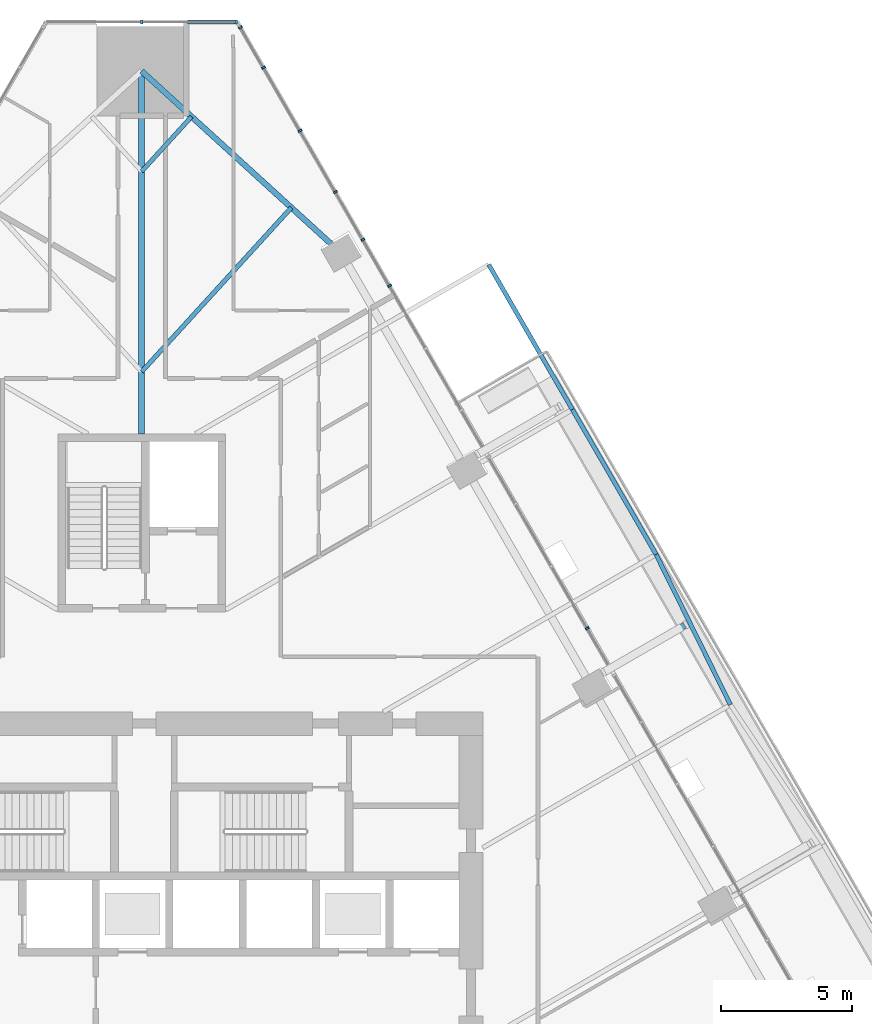
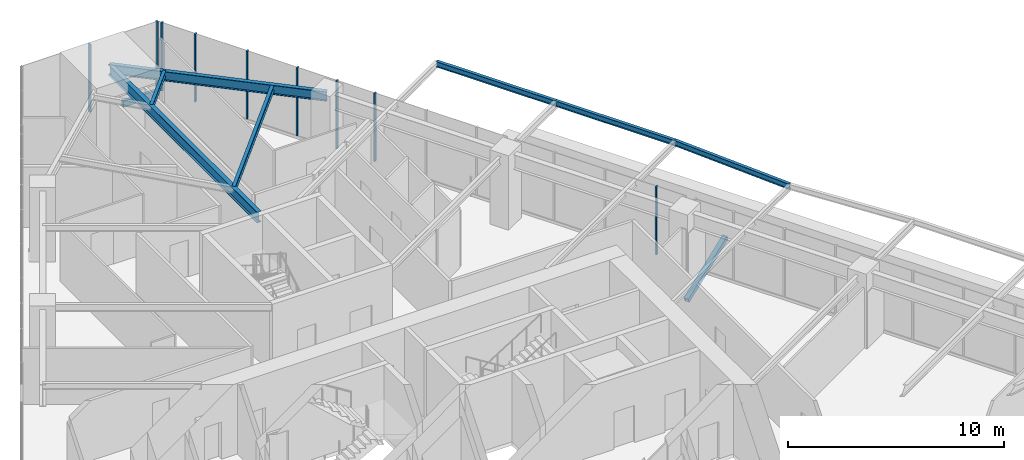
# One storey, part 11 of 29: 11 members, 7 beams, 2 elements without a shape of their own.
"""IFC4 building model written with IfcOpenShell, lengths in metres."""

from ifc_helpers import new_model, si_unit, direction, frame, origin, origin_2d, place, context, subcontext, project, spatial, rectangle, hollow_rectangle, i_section, extrude, material, layer, layer_set, material_profile, profile_set, type_object, element, aggregate, save


model = new_model("IFC4")

# Units and contexts
model_context = context("Model", 3, precision=1e-05, world=origin(), true_north=direction((0.0, 1.0)))
body_context = subcontext(model_context, "Body", "Model", "MODEL_VIEW")
ifc_project = project(units=[si_unit("LENGTHUNIT", "METRE"), si_unit("AREAUNIT", "SQUARE_METRE"), si_unit("VOLUMEUNIT", "CUBIC_METRE"), si_unit("PLANEANGLEUNIT", "RADIAN"), si_unit("MASSUNIT", "GRAM", prefix="KILO")], contexts=[model_context])

# Site, building, storey
site_placement = place(None, origin())
site = spatial("IfcSite", under=ifc_project, at=site_placement, CompositionType="ELEMENT")
building_placement = place(site_placement, origin())
building = spatial("IfcBuilding", under=site, at=building_placement, Name="Firuza Gate Tower and Library", CompositionType="ELEMENT")
storey_placement = place(building_placement, frame((0.0, 0.0, 48.39990234375)))
storey = spatial("IfcBuildingStorey", under=building, at=storey_placement, Name="L10", CompositionType="ELEMENT", Elevation=48.39990234375)

# Curtain wall, members
ifc_material_1 = material(Name="Aluminium 6063-T6", Category="aluminium")
ifc_layer_1 = layer(ifc_material_1, 0.14990234375)
ifc_layer_set_1 = layer_set([ifc_layer_1], Name="Unitised curtain wall, offices")
curtain_wall_type_1 = type_object("IfcCurtainWallType", Name="Unitised curtain wall, offices", PredefinedType="NOTDEFINED", material=ifc_layer_set_1)
placement = place(storey_placement, origin())
curtain_wall_1 = element("IfcCurtainWall", 1, at=placement, inside=storey, type_object=curtain_wall_type_1, Name="CW1 L10 E face", PredefinedType="NOTDEFINED")
ifc_material_2 = material(Name="Aluminium 6063-T6", Category="aluminium")
ifc_material_profile_1 = material_profile(ifc_material_2, rectangle(XDim=0.14990234375, YDim=0.080078125, at=origin_2d()))
ifc_profile_set_1 = profile_set([ifc_material_profile_1], Name="Aluminium 6063-T6")
member_type_1 = type_object("IfcMemberType", Name="Curtain wall mullion 80x150", PredefinedType="MULLION", material=ifc_profile_set_1)
member_1_placement = place(storey_placement, frame((83.43408203125, 101.997314453125, 0.150146484375), z_axis=(0.0, 0.0, 1.0), x_axis=(-0.866025403784, -0.5, 0.0)))
member_1 = element("IfcMember", 2, at=member_1_placement, type_object=member_type_1, Name="Mullion", PredefinedType="MULLION", context=body_context, shape_type="SweptSolid", body=[
    extrude(rectangle(XDim=0.14990234375, YDim=0.080078125, at=origin_2d()), origin(), (0.0, 0.0, 1.0), 3.849853515625),
])
member_2_placement = place(storey_placement, frame((81.038818359375, 106.146240234375, 0.150146484375), z_axis=(0.0, 0.0, 1.0), x_axis=(-0.866025403784, -0.5, 0.0)))
member_2 = element("IfcMember", 3, at=member_2_placement, type_object=member_type_1, Name="Mullion", PredefinedType="MULLION", context=body_context, shape_type="SweptSolid", body=[
    extrude(rectangle(XDim=0.14990234375, YDim=0.080078125, at=origin_2d()), origin(), (0.0, 0.0, 1.0), 3.849853515625),
])
member_3_placement = place(storey_placement, frame((91.982666015625, 87.190673828125, 0.150146484375), z_axis=(0.0, 0.0, 1.0), x_axis=(-0.866025403784, -0.5, 0.0)))
member_3 = element("IfcMember", 4, at=member_3_placement, type_object=member_type_1, Name="Mullion", PredefinedType="MULLION", context=body_context, shape_type="SweptSolid", body=[
    extrude(rectangle(XDim=0.14990234375, YDim=0.080078125, at=origin_2d()), origin(), (0.0, 0.0, 1.0), 3.849853515625),
])
member_4_placement = place(storey_placement, frame((84.448974609375, 100.23974609375, 0.150146484375), z_axis=(0.0, 0.0, 1.0), x_axis=(-0.866025403784, -0.5, 0.0)))
member_4 = element("IfcMember", 5, at=member_4_placement, type_object=member_type_1, Name="Mullion", PredefinedType="MULLION", context=body_context, shape_type="SweptSolid", body=[
    extrude(rectangle(XDim=0.14990234375, YDim=0.080078125, at=origin_2d()), origin(), (0.0, 0.0, 1.0), 3.849853515625),
])
member_5_placement = place(storey_placement, frame((82.3828125, 103.818359375, 0.150146484375), z_axis=(0.0, 0.0, 1.0), x_axis=(-0.866025403784, -0.5, 0.0)))
member_5 = element("IfcMember", 6, at=member_5_placement, type_object=member_type_1, Name="Mullion", PredefinedType="MULLION", context=body_context, shape_type="SweptSolid", body=[
    extrude(rectangle(XDim=0.14990234375, YDim=0.080078125, at=origin_2d()), origin(), (0.0, 0.0, 1.0), 3.849853515625),
])
member_6_placement = place(storey_placement, frame((79.64892578125, 108.5537109375, 0.150146484375), z_axis=(0.0, 0.0, 1.0), x_axis=(-0.866025403784, -0.5, 0.0)))
member_6 = element("IfcMember", 7, at=member_6_placement, type_object=member_type_1, Name="Mullion", PredefinedType="MULLION", context=body_context, shape_type="SweptSolid", body=[
    extrude(rectangle(XDim=0.14990234375, YDim=0.080078125, at=origin_2d()), origin(), (0.0, 0.0, 1.0), 3.849853515625),
])
member_7_placement = place(storey_placement, frame((78.759765625, 110.09375, 0.150146484375), z_axis=(0.0, 0.0, 1.0), x_axis=(-0.866025403784, -0.5, 0.0)))
member_7 = element("IfcMember", 8, at=member_7_placement, type_object=member_type_1, Name="Mullion", PredefinedType="MULLION", context=body_context, shape_type="SweptSolid", body=[
    extrude(rectangle(XDim=0.14990234375, YDim=0.080078125, at=origin_2d()), origin(), (0.0, 0.0, 1.0), 3.849853515625),
])
aggregate(curtain_wall_1, [member_1, member_2, member_3, member_4, member_5, member_6, member_7])

ifc_material_3 = material(Name="Aluminium 6063-T6", Category="aluminium")
ifc_layer_2 = layer(ifc_material_3, 0.14990234375)
ifc_layer_set_2 = layer_set([ifc_layer_2], Name="Corner curtain wall, chamfers")
curtain_wall_type_2 = type_object("IfcCurtainWallType", Name="Corner curtain wall, chamfers", PredefinedType="NOTDEFINED", material=ifc_layer_set_2)
curtain_wall_2 = element("IfcCurtainWall", 9, at=placement, inside=storey, type_object=curtain_wall_type_2, Name="CW4 L10 N corner", PredefinedType="NOTDEFINED")
member_8_placement = place(storey_placement, frame((78.603271484375, 110.29541015625, 0.150146484375), z_axis=(0.0, 0.0, 1.0), x_axis=(0.0, -1.0, 0.0)))
member_8 = element("IfcMember", 10, at=member_8_placement, type_object=member_type_1, Name="Mullion", PredefinedType="MULLION", context=body_context, shape_type="SweptSolid", body=[
    extrude(rectangle(XDim=0.14990234375, YDim=0.080078125, at=origin_2d()), origin(), (0.0, 0.0, 1.0), 3.849853515625),
])
member_9_placement = place(storey_placement, frame((75.0, 110.29541015625, 0.150146484375), z_axis=(0.0, 0.0, 1.0), x_axis=(0.0, -1.0, 0.0)))
member_9 = element("IfcMember", 11, at=member_9_placement, type_object=member_type_1, Name="Mullion", PredefinedType="MULLION", context=body_context, shape_type="SweptSolid", body=[
    extrude(rectangle(XDim=0.14990234375, YDim=0.080078125, at=origin_2d()), origin(), (0.0, 0.0, 1.0), 3.849853515625),
])
ifc_material_4 = material(Name="Aluminium 6063-T6", Category="aluminium")
ifc_material_profile_2 = material_profile(ifc_material_4, rectangle(XDim=0.14990234375, YDim=0.35009765625, at=origin_2d()))
ifc_profile_set_2 = profile_set([ifc_material_profile_2], Name="Aluminium 6063-T6")
member_type_2 = type_object("IfcMemberType", Name="Curtain wall transom 350x150", PredefinedType="USERDEFINED", material=ifc_profile_set_2)
member_10_placement = place(storey_placement, frame((78.643310546875, 110.29541015625, -0.02490234375), z_axis=(-1.0, 0.0, 0.0), x_axis=(0.0, -1.0, 0.0)))
member_10 = element("IfcMember", 12, at=member_10_placement, type_object=member_type_2, Name="Transom", ObjectType="TRANSOM", PredefinedType="USERDEFINED", context=body_context, shape_type="SweptSolid", body=[
    extrude(rectangle(XDim=0.14990234375, YDim=0.35009765625, at=origin_2d()), origin(), (0.0, 0.0, 1.0), 1.89208984375),
])
aggregate(curtain_wall_2, [member_8, member_9, member_10])

# Member
ifc_material_5 = material(Name="Steel S355", Category="steel")
ifc_material_profile_3 = material_profile(ifc_material_5, hollow_rectangle(XDim=0.25390625, YDim=0.25390625, WallThickness=0.01171875, at=origin_2d()))
ifc_profile_set_3 = profile_set([ifc_material_profile_3], Name="Steel S355")
member_type_3 = type_object("IfcMemberType", Name="HSS254x254x13 Tray strut", PredefinedType="BRACE", material=ifc_profile_set_3)
member_11_placement = place(storey_placement, frame((92.62060546875, 85.51953125, -1.669921875), z_axis=(0.807140949077, 0.466018027999, 0.362423351763), x_axis=(-0.500012057535, 0.866018442252, 0.0)))
element("IfcMember", 13, at=member_11_placement, inside=storey, type_object=member_type_3, Name="Tray strut L10 col:L09:E3", PredefinedType="BRACE", context=body_context, shape_type="SweptSolid", body=[
    extrude(hollow_rectangle(XDim=0.25390625, YDim=0.25390625, WallThickness=0.01171875, at=origin_2d()), origin(), (0.0, 0.0, 1.0), 3.862548828125),
])

# Beams
ifc_material_6 = material(Name="Steel S355", Category="steel")
ifc_material_profile_4 = material_profile(ifc_material_6, i_section(OverallWidth=0.1650390625, OverallDepth=0.31005859375, WebThickness=0.005859375, FlangeThickness=0.009765625, at=origin_2d()))
ifc_profile_set_4 = profile_set([ifc_material_profile_4], Name="Steel S355")
beam_type_1 = type_object("IfcBeamType", Name="W310x39 Floor beam", PredefinedType="JOIST", material=ifc_profile_set_4)
beam_1_placement = place(storey_placement, frame((76.901123046875, 106.6865234375, 3.84521484375), z_axis=(-0.673865036235, -0.738854459917, 0.0), x_axis=(0.738854459917, -0.673865036235, 0.0)))
element("IfcBeam", 14, at=beam_1_placement, inside=storey, type_object=beam_type_1, Name="Floor beam L10 s61", PredefinedType="JOIST", context=body_context, shape_type="SweptSolid", body=[
    extrude(i_section(OverallWidth=0.1650390625, OverallDepth=0.31005859375, WebThickness=0.005859375, FlangeThickness=0.009765625, at=origin_2d()), origin(), (0.0, 0.0, 1.0), 2.8212890625),
])
beam_2_placement = place(storey_placement, frame((97.436767578125, 84.271484375, 3.84521484375), z_axis=(-0.443221190876, 0.896412280125, 0.0), x_axis=(-0.896412280125, -0.443221190876, 0.0)))
element("IfcBeam", 15, at=beam_2_placement, inside=storey, type_object=beam_type_1, Name="Tray edge beam L10 s52-s53", PredefinedType="JOIST", context=body_context, shape_type="SweptSolid", body=[
    extrude(i_section(OverallWidth=0.1650390625, OverallDepth=0.31005859375, WebThickness=0.005859375, FlangeThickness=0.009765625, at=origin_2d()), origin(), (0.0, 0.0, 1.0), 6.391357421875),
])
for number, where, z_axis, x_axis, name in (
    (16, (94.60400390625, 90.000732421875, 3.84521484375), (-0.500012923025, 0.866017942544, 0.0), (-0.866017942544, -0.500012923025, 0.0), "Tray edge beam L10 s53-s54"),
    (17, (91.414794921875, 95.5244140625, 3.84521484375), (-0.499984214919, 0.866034517114, 0.0), (-0.866034517114, -0.499984214919, 0.0), "Tray edge beam L10 s54-s55"),
):
    element("IfcBeam", number, at=place(storey_placement, frame(where, z_axis=z_axis, x_axis=x_axis)), inside=storey, type_object=beam_type_1, Name=name, PredefinedType="JOIST", context=body_context, shape_type="SweptSolid", body=[
        extrude(i_section(OverallWidth=0.1650390625, OverallDepth=0.31005859375, WebThickness=0.005859375, FlangeThickness=0.009765625, at=origin_2d()), origin(), (0.0, 0.0, 1.0), 6.378173828125),
    ])
ifc_material_7 = material(Name="Steel S355", Category="steel")
ifc_material_profile_5 = material_profile(ifc_material_7, i_section(OverallWidth=0.1708984375, OverallDepth=0.35498046875, WebThickness=0.007080078125, FlangeThickness=0.01171875, at=origin_2d()))
ifc_profile_set_5 = profile_set([ifc_material_profile_5], Name="Steel S355")
beam_type_2 = type_object("IfcBeamType", Name="W360x51 Floor beam", PredefinedType="JOIST", material=ifc_profile_set_5)
beam_3_placement = place(storey_placement, frame((80.703125, 103.21875, 3.822509765625), z_axis=(-0.673863651071, -0.73885572324, 0.0), x_axis=(0.73885572324, -0.673863651071, 0.0)))
element("IfcBeam", 18, at=beam_3_placement, inside=storey, type_object=beam_type_2, Name="Floor beam L10 s60", PredefinedType="JOIST", context=body_context, shape_type="SweptSolid", body=[
    extrude(i_section(OverallWidth=0.1708984375, OverallDepth=0.35498046875, WebThickness=0.007080078125, FlangeThickness=0.01171875, at=origin_2d()), origin(), (0.0, 0.0, 1.0), 8.46337890625),
])
ifc_material_8 = material(Name="Steel S355", Category="steel")
ifc_material_profile_6 = material_profile(ifc_material_8, i_section(OverallWidth=0.212890625, OverallDepth=0.5390625, WebThickness=0.01171875, FlangeThickness=0.018798828125, at=origin_2d()))
ifc_profile_set_6 = profile_set([ifc_material_profile_6], Name="Steel S355")
beam_type_3 = type_object("IfcBeamType", Name="W530x109 Edge beam", PredefinedType="SPANDREL", material=ifc_profile_set_6)
beam_4_placement = place(storey_placement, frame((82.604248046875, 101.48486328125, 3.730712890625), z_axis=(-0.738846416026, 0.673873855796, 0.0), x_axis=(-0.673873855796, -0.738846416026, 0.0)))
element("IfcBeam", 19, at=beam_4_placement, inside=storey, type_object=beam_type_3, Name="Edge beam L10 e60", PredefinedType="SPANDREL", context=body_context, shape_type="SweptSolid", body=[
    extrude(i_section(OverallWidth=0.212890625, OverallDepth=0.5390625, WebThickness=0.01171875, FlangeThickness=0.018798828125, at=origin_2d()), origin(), (0.0, 0.0, 1.0), 10.2919921875),
])
ifc_material_9 = material(Name="Steel S355", Category="steel")
ifc_material_profile_7 = material_profile(ifc_material_9, i_section(OverallWidth=0.22802734375, OverallDepth=0.60302734375, WebThickness=0.010498046875, FlangeThickness=0.014892578125, at=origin_2d()))
ifc_profile_set_7 = profile_set([ifc_material_profile_7], Name="Steel S355")
beam_type_4 = type_object("IfcBeamType", Name="W610x101 Girder", PredefinedType="BEAM", material=ifc_profile_set_7)
beam_5_placement = place(storey_placement, frame((75.0, 108.42041015625, 3.698486328125), z_axis=(0.0, -1.0, 0.0), x_axis=(1.0, 0.0, 0.0)))
element("IfcBeam", 20, at=beam_5_placement, inside=storey, type_object=beam_type_4, Name="Girder L10 gN", PredefinedType="BEAM", context=body_context, shape_type="SweptSolid", body=[
    extrude(i_section(OverallWidth=0.22802734375, OverallDepth=0.60302734375, WebThickness=0.010498046875, FlangeThickness=0.014892578125, at=origin_2d()), origin(), (0.0, 0.0, 1.0), 13.8203125),
])

save(model, "model.ifc")
